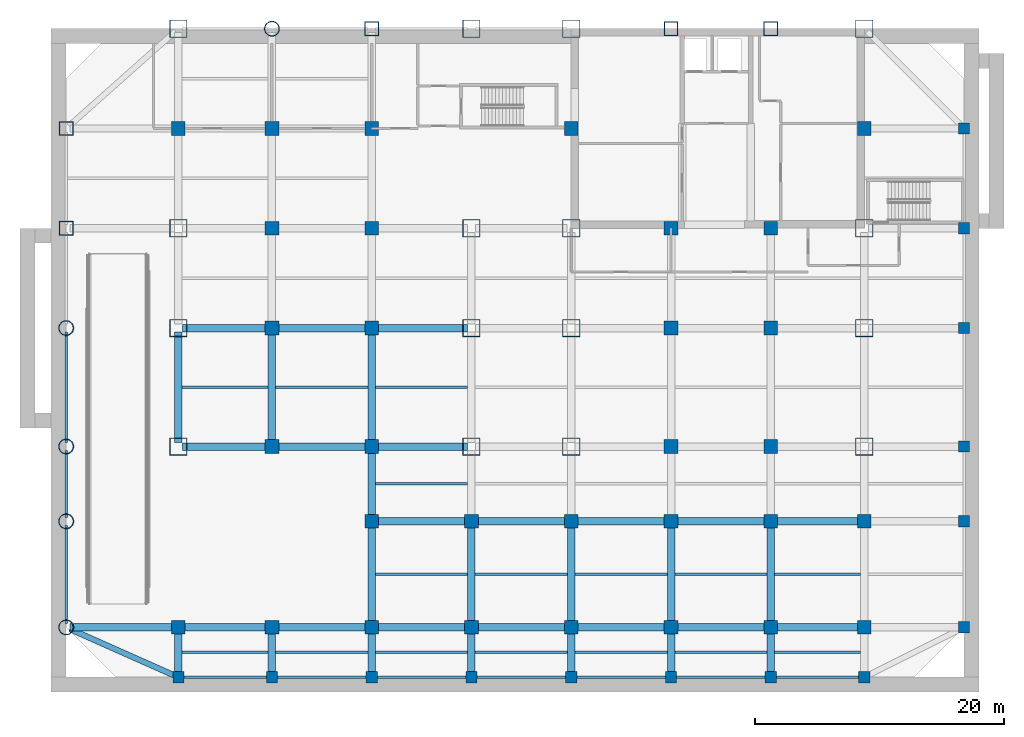
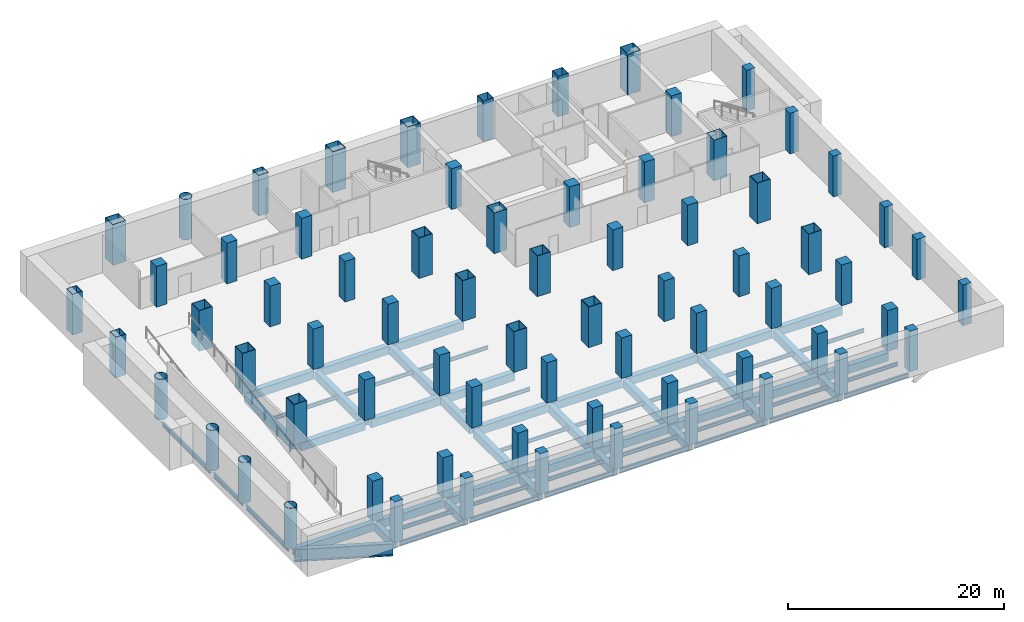
# One storey, part 1 of 8: 71 columns, 62 beams.
"""IFC4 building model written with IfcOpenShell, lengths in metres."""

from ifc_helpers import new_model, si_unit, direction, frame, origin, origin_2d, place, context, subcontext, project, spatial, rectangle, hollow_rectangle, hollow_circle, i_section, extrude, material, material_profile, profile_set, type_object, element, save


model = new_model("IFC4")

# Units and contexts
model_context = context("Model", 3, precision=1e-05, world=origin(), true_north=direction((0.0, 1.0)))
body_context = subcontext(model_context, "Body", "Model", "MODEL_VIEW")
ifc_project = project(units=[si_unit("LENGTHUNIT", "METRE"), si_unit("AREAUNIT", "SQUARE_METRE"), si_unit("VOLUMEUNIT", "CUBIC_METRE"), si_unit("PLANEANGLEUNIT", "RADIAN"), si_unit("MASSUNIT", "GRAM", prefix="KILO")], contexts=[model_context])

# Site, building, storey
site_placement = place(None, origin())
site = spatial("IfcSite", under=ifc_project, at=site_placement, CompositionType="ELEMENT")
building_placement = place(site_placement, origin())
building = spatial("IfcBuilding", under=site, at=building_placement, Name="Qianrong Seaharbour Tower", CompositionType="ELEMENT")
storey_placement = place(building_placement, frame((0.0, 0.0, -9.199951171875)))
storey = spatial("IfcBuildingStorey", under=building, at=storey_placement, Name="B02", CompositionType="ELEMENT", Elevation=-9.199951171875)

# Columns
ifc_material_1 = material(Name="Structural steel SN490B", Category="steel")
ifc_material_profile_1 = material_profile(ifc_material_1, hollow_rectangle(XDim=1.39990234375, YDim=1.39990234375, WallThickness=0.050048828125, at=origin_2d()), Name="BOX1400x1400x50")
ifc_profile_set_1 = profile_set([ifc_material_profile_1], Name="Structural steel SN490B")
column_type_1 = type_object("IfcColumnType", Name="COL-CFT-1400", PredefinedType="COLUMN", material=ifc_profile_set_1)
for number, where, z_axis, x_axis, name in (
    (1, (9.0, 18.5, 0.0), (0.0, 0.0, 1.0), (1.0, 0.0, 0.0), "B02 Column MC-1 at G2/GD"),
    (2, (9.0, 28.0, 0.0), (0.0, 0.0, 1.0), (1.0, 0.0, 0.0), "B02 Column MC-1 at G2/GE"),
    (3, (9.0, 36.0, 0.0), (0.0, 0.0, 1.0), (1.0, 0.0, 0.0), "B02 Column MC-1 at G2/GF"),
    (4, (9.0, 52.0, 0.0), (0.0, 0.0, 1.0), (1.0, 0.0, 0.0), "B02 Column MC-1 at G2/GH"),
    (5, (32.5, 18.5, 0.0), (0.0, 0.0, 1.0), (1.0, 0.0, 0.0), "B02 Column MC-1 at G5/GD"),
    (6, (32.5, 28.0, 0.0), (0.0, 0.0, 1.0), (1.0, 0.0, 0.0), "B02 Column MC-1 at G5/GE"),
    (7, (32.5, 36.0, 0.0), (0.0, 0.0, 1.0), (1.0, 0.0, 0.0), "B02 Column MC-1 at G5/GF"),
    (8, (32.5, 52.0, 0.0), (0.0, 0.0, 1.0), (1.0, 0.0, 0.0), "B02 Column MC-1 at G5/GH"),
    (9, (40.5, 18.5, 0.0), (0.0, 0.0, 1.0), (1.0, 0.0, 0.0), "B02 Column MC-1 at G6/GD"),
    (10, (40.5, 28.0, 0.0), (0.0, 0.0, 1.0), (1.0, 0.0, 0.0), "B02 Column MC-1 at G6/GE"),
    (11, (40.5, 36.0, 0.0), (0.0, 0.0, 1.0), (1.0, 0.0, 0.0), "B02 Column MC-1 at G6/GF"),
    (12, (40.5, 52.0, 0.0), (0.0, 0.0, 1.0), (1.0, 0.0, 0.0), "B02 Column MC-1 at G6/GH"),
    (13, (64.0, 18.5, 0.0), (0.0, 0.0, 1.0), (1.0, 0.0, 0.0), "B02 Column MC-1 at G9/GD"),
    (14, (64.0, 28.0, 0.0), (0.0, 0.0, 1.0), (1.0, 0.0, 0.0), "B02 Column MC-1 at G9/GE"),
    (15, (64.0, 36.0, 0.0), (0.0, 0.0, 1.0), (1.0, 0.0, 0.0), "B02 Column MC-1 at G9/GF"),
    (16, (64.0, 52.0, 0.0), (0.0, 0.0, 1.0), (1.0, 0.0, 0.0), "B02 Column MC-1 at G9/GH"),
):
    element("IfcColumn", number, at=place(storey_placement, frame(where, z_axis=z_axis, x_axis=x_axis)), inside=storey, type_object=column_type_1, Name=name, PredefinedType="COLUMN", context=body_context, shape_type="SweptSolid", body=[
        extrude(hollow_rectangle(XDim=1.39990234375, YDim=1.39990234375, WallThickness=0.050048828125, at=origin_2d()), origin(), (0.0, 0.0, 1.0), 4.599853515625),
    ])
ifc_material_profile_2 = material_profile(ifc_material_1, hollow_circle(Radius=0.60009765625, WallThickness=0.0400390625, at=origin_2d()), Name="CHS1200x40")
ifc_profile_set_2 = profile_set([ifc_material_profile_2], Name="Structural steel SN490B")
column_type_2 = type_object("IfcColumnType", Name="COL-CHS-1200", PredefinedType="COLUMN", material=ifc_profile_set_2)
for number, where, z_axis, x_axis, name in (
    (17, (0.0, 4.0, 0.0), (0.0, 0.0, 1.0), (1.0, 0.0, 0.0), "B02 Column CC-1 at G1/GB"),
    (18, (0.0, 12.5, 0.0), (0.0, 0.0, 1.0), (1.0, 0.0, 0.0), "B02 Column CC-1 at G1/GC"),
    (19, (0.0, 18.5, 0.0), (0.0, 0.0, 1.0), (1.0, 0.0, 0.0), "B02 Column CC-1 at G1/GD"),
    (20, (0.0, 28.0, 0.0), (0.0, 0.0, 1.0), (1.0, 0.0, 0.0), "B02 Column CC-1 at G1/GE"),
    (21, (16.5, 52.0, 0.0), (0.0, 0.0, 1.0), (1.0, 0.0, 0.0), "B02 Column CC-1 at G3/GH"),
):
    element("IfcColumn", number, at=place(storey_placement, frame(where, z_axis=z_axis, x_axis=x_axis)), inside=storey, type_object=column_type_2, Name=name, PredefinedType="COLUMN", context=body_context, shape_type="SweptSolid", body=[
        extrude(hollow_circle(Radius=0.60009765625, WallThickness=0.0400390625, at=origin_2d()), origin(), (0.0, 0.0, 1.0), 4.599853515625),
    ])
ifc_material_2 = material(Name="Concrete C70/85", Category="concrete")
ifc_material_profile_3 = material_profile(ifc_material_2, rectangle(XDim=1.10009765625, YDim=1.10009765625, at=origin_2d()), Name="RC1100x1100")
ifc_profile_set_3 = profile_set([ifc_material_profile_3], Name="Concrete C70/85")
column_type_3 = type_object("IfcColumnType", Name="COL-INT-RC1100", PredefinedType="COLUMN", material=ifc_profile_set_3)
for number, where, z_axis, x_axis, name in (
    (22, (9.0, 4.0, 0.0), (0.0, 0.0, 1.0), (1.0, 0.0, 0.0), "B02 Column IC-1 at G2/GB"),
    (23, (9.0, 44.0, 0.0), (0.0, 0.0, 1.0), (1.0, 0.0, 0.0), "B02 Column IC-1 at G2/GG"),
    (24, (16.5, 4.0, 0.0), (0.0, 0.0, 1.0), (1.0, 0.0, 0.0), "B02 Column IC-1 at G3/GB"),
    (25, (16.5, 18.5, 0.0), (0.0, 0.0, 1.0), (1.0, 0.0, 0.0), "B02 Column IC-1 at G3/GD"),
    (26, (16.5, 28.0, 0.0), (0.0, 0.0, 1.0), (1.0, 0.0, 0.0), "B02 Column IC-1 at G3/GE"),
    (27, (16.5, 36.0, 0.0), (0.0, 0.0, 1.0), (1.0, 0.0, 0.0), "B02 Column IC-1 at G3/GF"),
    (28, (16.5, 44.0, 0.0), (0.0, 0.0, 1.0), (1.0, 0.0, 0.0), "B02 Column IC-1 at G3/GG"),
    (29, (24.5, 4.0, 0.0), (0.0, 0.0, 1.0), (1.0, 0.0, 0.0), "B02 Column IC-1 at G4/GB"),
    (30, (24.5, 12.5, 0.0), (0.0, 0.0, 1.0), (1.0, 0.0, 0.0), "B02 Column IC-1 at G4/GC"),
    (31, (24.5, 18.5, 0.0), (0.0, 0.0, 1.0), (1.0, 0.0, 0.0), "B02 Column IC-1 at G4/GD"),
    (32, (24.5, 28.0, 0.0), (0.0, 0.0, 1.0), (1.0, 0.0, 0.0), "B02 Column IC-1 at G4/GE"),
    (33, (24.5, 36.0, 0.0), (0.0, 0.0, 1.0), (1.0, 0.0, 0.0), "B02 Column IC-1 at G4/GF"),
    (34, (24.5, 44.0, 0.0), (0.0, 0.0, 1.0), (1.0, 0.0, 0.0), "B02 Column IC-1 at G4/GG"),
    (35, (32.5, 4.0, 0.0), (0.0, 0.0, 1.0), (1.0, 0.0, 0.0), "B02 Column IC-1 at G5/GB"),
    (36, (32.5, 12.5, 0.0), (0.0, 0.0, 1.0), (1.0, 0.0, 0.0), "B02 Column IC-1 at G5/GC"),
    (37, (40.5, 4.0, 0.0), (0.0, 0.0, 1.0), (1.0, 0.0, 0.0), "B02 Column IC-1 at G6/GB"),
    (38, (40.5, 12.5, 0.0), (0.0, 0.0, 1.0), (1.0, 0.0, 0.0), "B02 Column IC-1 at G6/GC"),
    (39, (40.5, 44.0, 0.0), (0.0, 0.0, 1.0), (1.0, 0.0, 0.0), "B02 Column IC-1 at G6/GG"),
    (40, (48.5, 4.0, 0.0), (0.0, 0.0, 1.0), (1.0, 0.0, 0.0), "B02 Column IC-1 at G7/GB"),
    (41, (48.5, 12.5, 0.0), (0.0, 0.0, 1.0), (1.0, 0.0, 0.0), "B02 Column IC-1 at G7/GC"),
    (42, (48.5, 18.5, 0.0), (0.0, 0.0, 1.0), (1.0, 0.0, 0.0), "B02 Column IC-1 at G7/GD"),
    (43, (48.5, 28.0, 0.0), (0.0, 0.0, 1.0), (1.0, 0.0, 0.0), "B02 Column IC-1 at G7/GE"),
    (44, (48.5, 36.0, 0.0), (0.0, 0.0, 1.0), (1.0, 0.0, 0.0), "B02 Column IC-1 at G7/GF"),
    (45, (56.5, 4.0, 0.0), (0.0, 0.0, 1.0), (1.0, 0.0, 0.0), "B02 Column IC-1 at G8/GB"),
    (46, (56.5, 12.5, 0.0), (0.0, 0.0, 1.0), (1.0, 0.0, 0.0), "B02 Column IC-1 at G8/GC"),
    (47, (56.5, 18.5, 0.0), (0.0, 0.0, 1.0), (1.0, 0.0, 0.0), "B02 Column IC-1 at G8/GD"),
    (48, (56.5, 28.0, 0.0), (0.0, 0.0, 1.0), (1.0, 0.0, 0.0), "B02 Column IC-1 at G8/GE"),
    (49, (56.5, 36.0, 0.0), (0.0, 0.0, 1.0), (1.0, 0.0, 0.0), "B02 Column IC-1 at G8/GF"),
    (50, (64.0, 4.0, 0.0), (0.0, 0.0, 1.0), (1.0, 0.0, 0.0), "B02 Column IC-1 at G9/GB"),
    (51, (64.0, 12.5, 0.0), (0.0, 0.0, 1.0), (1.0, 0.0, 0.0), "B02 Column IC-1 at G9/GC"),
    (52, (64.0, 44.0, 0.0), (0.0, 0.0, 1.0), (1.0, 0.0, 0.0), "B02 Column IC-1 at G9/GG"),
):
    element("IfcColumn", number, at=place(storey_placement, frame(where, z_axis=z_axis, x_axis=x_axis)), inside=storey, type_object=column_type_3, Name=name, PredefinedType="COLUMN", context=body_context, shape_type="SweptSolid", body=[
        extrude(rectangle(XDim=1.10009765625, YDim=1.10009765625, at=origin_2d()), origin(), (0.0, 0.0, 1.0), 4.599853515625),
    ])
ifc_material_profile_4 = material_profile(ifc_material_1, hollow_rectangle(XDim=1.10009765625, YDim=1.10009765625, WallThickness=0.0400390625, at=origin_2d()), Name="BOX1100x1100x40")
ifc_profile_set_4 = profile_set([ifc_material_profile_4], Name="Structural steel SN490B")
column_type_4 = type_object("IfcColumnType", Name="COL-PER-1100", PredefinedType="COLUMN", material=ifc_profile_set_4)
for number, where, z_axis, x_axis, name in (
    (53, (0.0, 36.0, 0.0), (0.0, 0.0, 1.0), (1.0, 0.0, 0.0), "B02 Column PC-1 at G1/GF"),
    (54, (0.0, 44.0, 0.0), (0.0, 0.0, 1.0), (1.0, 0.0, 0.0), "B02 Column PC-1 at G1/GG"),
    (55, (24.5, 52.0, 0.0), (0.0, 0.0, 1.0), (1.0, 0.0, 0.0), "B02 Column PC-1 at G4/GH"),
    (56, (48.5, 52.0, 0.0), (0.0, 0.0, 1.0), (1.0, 0.0, 0.0), "B02 Column PC-1 at G7/GH"),
    (57, (56.5, 52.0, 0.0), (0.0, 0.0, 1.0), (1.0, 0.0, 0.0), "B02 Column PC-1 at G8/GH"),
):
    element("IfcColumn", number, at=place(storey_placement, frame(where, z_axis=z_axis, x_axis=x_axis)), inside=storey, type_object=column_type_4, Name=name, PredefinedType="COLUMN", context=body_context, shape_type="SweptSolid", body=[
        extrude(hollow_rectangle(XDim=1.10009765625, YDim=1.10009765625, WallThickness=0.0400390625, at=origin_2d()), origin(), (0.0, 0.0, 1.0), 4.599853515625),
    ])
ifc_material_3 = material(Name="Concrete C60/75", Category="concrete")
ifc_material_profile_5 = material_profile(ifc_material_3, rectangle(XDim=0.89990234375, YDim=0.89990234375, at=origin_2d()), Name="RC900x900")
ifc_profile_set_5 = profile_set([ifc_material_profile_5], Name="Concrete C60/75")
column_type_5 = type_object("IfcColumnType", Name="COL-PIL-RC900", PredefinedType="PILASTER", material=ifc_profile_set_5)
for number, where, z_axis, x_axis, name in (
    (58, (9.0, 0.0, 0.0), (0.0, 0.0, 1.0), (1.0, 0.0, 0.0), "B02 Column CP-1 at G2/GA"),
    (59, (16.5, 0.0, 0.0), (0.0, 0.0, 1.0), (1.0, 0.0, 0.0), "B02 Column CP-1 at G3/GA"),
    (60, (24.5, 0.0, 0.0), (0.0, 0.0, 1.0), (1.0, 0.0, 0.0), "B02 Column CP-1 at G4/GA"),
    (61, (32.5, 0.0, 0.0), (0.0, 0.0, 1.0), (1.0, 0.0, 0.0), "B02 Column CP-1 at G5/GA"),
    (62, (40.5, 0.0, 0.0), (0.0, 0.0, 1.0), (1.0, 0.0, 0.0), "B02 Column CP-1 at G6/GA"),
    (63, (48.5, 0.0, 0.0), (0.0, 0.0, 1.0), (1.0, 0.0, 0.0), "B02 Column CP-1 at G7/GA"),
    (64, (56.5, 0.0, 0.0), (0.0, 0.0, 1.0), (1.0, 0.0, 0.0), "B02 Column CP-1 at G8/GA"),
    (65, (64.0, 0.0, 0.0), (0.0, 0.0, 1.0), (1.0, 0.0, 0.0), "B02 Column CP-1 at G9/GA"),
    (66, (72.0, 4.0, 0.0), (0.0, 0.0, 1.0), (1.0, 0.0, 0.0), "B02 Column CP-1 at G10/GB"),
    (67, (72.0, 12.5, 0.0), (0.0, 0.0, 1.0), (1.0, 0.0, 0.0), "B02 Column CP-1 at G10/GC"),
    (68, (72.0, 18.5, 0.0), (0.0, 0.0, 1.0), (1.0, 0.0, 0.0), "B02 Column CP-1 at G10/GD"),
    (69, (72.0, 28.0, 0.0), (0.0, 0.0, 1.0), (1.0, 0.0, 0.0), "B02 Column CP-1 at G10/GE"),
    (70, (72.0, 36.0, 0.0), (0.0, 0.0, 1.0), (1.0, 0.0, 0.0), "B02 Column CP-1 at G10/GF"),
    (71, (72.0, 44.0, 0.0), (0.0, 0.0, 1.0), (1.0, 0.0, 0.0), "B02 Column CP-1 at G10/GG"),
):
    element("IfcColumn", number, at=place(storey_placement, frame(where, z_axis=z_axis, x_axis=x_axis)), inside=storey, type_object=column_type_5, Name=name, PredefinedType="PILASTER", context=body_context, shape_type="SweptSolid", body=[
        extrude(rectangle(XDim=0.89990234375, YDim=0.89990234375, at=origin_2d()), origin(), (0.0, 0.0, 1.0), 4.599853515625),
    ])

# Beams
ifc_material_4 = material(Name="Structural steel SN400B", Category="steel")
ifc_material_profile_6 = material_profile(ifc_material_4, i_section(OverallWidth=0.199951171875, OverallDepth=0.39990234375, WebThickness=0.008056640625, FlangeThickness=0.012939453125, FilletRadius=0.01611328125, at=origin_2d()), Name="H400x200x8x13")
ifc_profile_set_6 = profile_set([ifc_material_profile_6], Name="Structural steel SN400B")
beam_type_1 = type_object("IfcBeamType", Name="BM-J-400", PredefinedType="JOIST", material=ifc_profile_set_6)
for number, where, z_axis, x_axis, name in (
    (72, (9.300048828125, 2.0, -0.56005859375), (1.0, 0.0, 0.0), (0.0, 1.0, 0.0), "B02 Composite Floor Joist G2-G3/GA-GB"),
    (73, (9.300048828125, 23.25, -0.56005859375), (1.0, 0.0, 0.0), (0.0, 1.0, 0.0), "B02 Composite Floor Joist G2-G3/GD-GE"),
):
    element("IfcBeam", number, at=place(storey_placement, frame(where, z_axis=z_axis, x_axis=x_axis)), inside=storey, type_object=beam_type_1, Name=name, PredefinedType="JOIST", context=body_context, shape_type="SweptSolid", body=[
        extrude(i_section(OverallWidth=0.199951171875, OverallDepth=0.39990234375, WebThickness=0.008056640625, FlangeThickness=0.012939453125, FilletRadius=0.01611328125, at=origin_2d()), origin(), (0.0, 0.0, 1.0), 6.89990234375),
    ])
for number, where, z_axis, x_axis, name in (
    (74, (16.800048828125, 2.0, -0.56005859375), (1.0, 0.0, 0.0), (0.0, 1.0, 0.0), "B02 Composite Floor Joist G3-G4/GA-GB"),
    (75, (16.800048828125, 23.25, -0.56005859375), (1.0, 0.0, 0.0), (0.0, 1.0, 0.0), "B02 Composite Floor Joist G3-G4/GD-GE"),
    (76, (24.800048828125, 2.0, -0.56005859375), (1.0, 0.0, 0.0), (0.0, 1.0, 0.0), "B02 Composite Floor Joist G4-G5/GA-GB"),
    (77, (24.800048828125, 8.25, -0.56005859375), (1.0, 0.0, 0.0), (0.0, 1.0, 0.0), "B02 Composite Floor Joist G4-G5/GB-GC"),
    (78, (24.800048828125, 15.5, -0.56005859375), (1.0, 0.0, 0.0), (0.0, 1.0, 0.0), "B02 Composite Floor Joist G4-G5/GC-GD"),
    (79, (24.800048828125, 23.25, -0.56005859375), (1.0, 0.0, 0.0), (0.0, 1.0, 0.0), "B02 Composite Floor Joist G4-G5/GD-GE"),
    (80, (32.800048828125, 2.0, -0.56005859375), (1.0, 0.0, 0.0), (0.0, 1.0, 0.0), "B02 Composite Floor Joist G5-G6/GA-GB"),
    (81, (32.800048828125, 8.25, -0.56005859375), (1.0, 0.0, 0.0), (0.0, 1.0, 0.0), "B02 Composite Floor Joist G5-G6/GB-GC"),
    (82, (40.800048828125, 2.0, -0.56005859375), (1.0, 0.0, 0.0), (0.0, 1.0, 0.0), "B02 Composite Floor Joist G6-G7/GA-GB"),
    (83, (40.800048828125, 8.25, -0.56005859375), (1.0, 0.0, 0.0), (0.0, 1.0, 0.0), "B02 Composite Floor Joist G6-G7/GB-GC"),
    (84, (48.800048828125, 2.0, -0.56005859375), (1.0, 0.0, 0.0), (0.0, 1.0, 0.0), "B02 Composite Floor Joist G7-G8/GA-GB"),
    (85, (48.800048828125, 8.25, -0.56005859375), (1.0, 0.0, 0.0), (0.0, 1.0, 0.0), "B02 Composite Floor Joist G7-G8/GB-GC"),
):
    element("IfcBeam", number, at=place(storey_placement, frame(where, z_axis=z_axis, x_axis=x_axis)), inside=storey, type_object=beam_type_1, Name=name, PredefinedType="JOIST", context=body_context, shape_type="SweptSolid", body=[
        extrude(i_section(OverallWidth=0.199951171875, OverallDepth=0.39990234375, WebThickness=0.008056640625, FlangeThickness=0.012939453125, FilletRadius=0.01611328125, at=origin_2d()), origin(), (0.0, 0.0, 1.0), 7.39990234375),
    ])
for number, where, z_axis, x_axis, name in (
    (86, (56.800048828125, 2.0, -0.56005859375), (1.0, 0.0, 0.0), (0.0, 1.0, 0.0), "B02 Composite Floor Joist G8-G9/GA-GB"),
    (87, (56.800048828125, 8.25, -0.56005859375), (1.0, 0.0, 0.0), (0.0, 1.0, 0.0), "B02 Composite Floor Joist G8-G9/GB-GC"),
):
    element("IfcBeam", number, at=place(storey_placement, frame(where, z_axis=z_axis, x_axis=x_axis)), inside=storey, type_object=beam_type_1, Name=name, PredefinedType="JOIST", context=body_context, shape_type="SweptSolid", body=[
        extrude(i_section(OverallWidth=0.199951171875, OverallDepth=0.39990234375, WebThickness=0.008056640625, FlangeThickness=0.012939453125, FilletRadius=0.01611328125, at=origin_2d()), origin(), (0.0, 0.0, 1.0), 6.89990234375),
    ])
ifc_material_5 = material(Name="Concrete C50/60", Category="concrete")
ifc_material_profile_7 = material_profile(ifc_material_5, rectangle(XDim=0.60009765625, YDim=0.89990234375, at=origin_2d()), Name="RC600x900")
ifc_profile_set_7 = profile_set([ifc_material_profile_7], Name="Concrete C50/60")
beam_type_2 = type_object("IfcBeamType", Name="BM-RC-T900", PredefinedType="T_BEAM", material=ifc_profile_set_7)
beam_1_placement = place(storey_placement, frame((0.320068359375, 4.0, -0.81005859375), z_axis=(1.0, 0.0, 0.0), x_axis=(0.0, 1.0, 0.0)))
element("IfcBeam", 88, at=beam_1_placement, inside=storey, type_object=beam_type_2, Name="B02 Primary Girder GB G1-G2", PredefinedType="T_BEAM", context=body_context, shape_type="SweptSolid", body=[
    extrude(rectangle(XDim=0.60009765625, YDim=0.89990234375, at=origin_2d()), origin(), (0.0, 0.0, 1.0), 8.35986328125),
])
beam_2_placement = place(storey_placement, frame((9.320068359375, 4.0, -0.81005859375), z_axis=(1.0, 0.0, 0.0), x_axis=(0.0, 1.0, 0.0)))
element("IfcBeam", 89, at=beam_2_placement, inside=storey, type_object=beam_type_2, Name="B02 Primary Girder GB G2-G3", PredefinedType="T_BEAM", context=body_context, shape_type="SweptSolid", body=[
    extrude(rectangle(XDim=0.60009765625, YDim=0.89990234375, at=origin_2d()), origin(), (0.0, 0.0, 1.0), 6.85986328125),
])
for number, where, z_axis, x_axis, name in (
    (90, (16.820068359375, 4.0, -0.81005859375), (1.0, 0.0, 0.0), (0.0, 1.0, 0.0), "B02 Primary Girder GB G3-G4"),
    (91, (24.820068359375, 4.0, -0.81005859375), (1.0, 0.0, 0.0), (0.0, 1.0, 0.0), "B02 Primary Girder GB G4-G5"),
    (92, (32.820068359375, 4.0, -0.81005859375), (1.0, 0.0, 0.0), (0.0, 1.0, 0.0), "B02 Primary Girder GB G5-G6"),
    (93, (40.820068359375, 4.0, -0.81005859375), (1.0, 0.0, 0.0), (0.0, 1.0, 0.0), "B02 Primary Girder GB G6-G7"),
    (94, (48.820068359375, 4.0, -0.81005859375), (1.0, 0.0, 0.0), (0.0, 1.0, 0.0), "B02 Primary Girder GB G7-G8"),
):
    element("IfcBeam", number, at=place(storey_placement, frame(where, z_axis=z_axis, x_axis=x_axis)), inside=storey, type_object=beam_type_2, Name=name, PredefinedType="T_BEAM", context=body_context, shape_type="SweptSolid", body=[
        extrude(rectangle(XDim=0.60009765625, YDim=0.89990234375, at=origin_2d()), origin(), (0.0, 0.0, 1.0), 7.35986328125),
    ])
beam_3_placement = place(storey_placement, frame((56.820068359375, 4.0, -0.81005859375), z_axis=(1.0, 0.0, 0.0), x_axis=(0.0, 1.0, 0.0)))
element("IfcBeam", 95, at=beam_3_placement, inside=storey, type_object=beam_type_2, Name="B02 Primary Girder GB G8-G9", PredefinedType="T_BEAM", context=body_context, shape_type="SweptSolid", body=[
    extrude(rectangle(XDim=0.60009765625, YDim=0.89990234375, at=origin_2d()), origin(), (0.0, 0.0, 1.0), 6.85986328125),
])
for number, where, z_axis, x_axis, name in (
    (96, (24.820068359375, 12.5, -0.81005859375), (1.0, 0.0, 0.0), (0.0, 1.0, 0.0), "B02 Primary Girder GC G4-G5"),
    (97, (32.820068359375, 12.5, -0.81005859375), (1.0, 0.0, 0.0), (0.0, 1.0, 0.0), "B02 Primary Girder GC G5-G6"),
    (98, (40.820068359375, 12.5, -0.81005859375), (1.0, 0.0, 0.0), (0.0, 1.0, 0.0), "B02 Primary Girder GC G6-G7"),
    (99, (48.820068359375, 12.5, -0.81005859375), (1.0, 0.0, 0.0), (0.0, 1.0, 0.0), "B02 Primary Girder GC G7-G8"),
):
    element("IfcBeam", number, at=place(storey_placement, frame(where, z_axis=z_axis, x_axis=x_axis)), inside=storey, type_object=beam_type_2, Name=name, PredefinedType="T_BEAM", context=body_context, shape_type="SweptSolid", body=[
        extrude(rectangle(XDim=0.60009765625, YDim=0.89990234375, at=origin_2d()), origin(), (0.0, 0.0, 1.0), 7.35986328125),
    ])
for number, where, z_axis, x_axis, name in (
    (100, (56.820068359375, 12.5, -0.81005859375), (1.0, 0.0, 0.0), (0.0, 1.0, 0.0), "B02 Primary Girder GC G8-G9"),
    (101, (9.320068359375, 18.5, -0.81005859375), (1.0, 0.0, 0.0), (0.0, 1.0, 0.0), "B02 Primary Girder GD G2-G3"),
):
    element("IfcBeam", number, at=place(storey_placement, frame(where, z_axis=z_axis, x_axis=x_axis)), inside=storey, type_object=beam_type_2, Name=name, PredefinedType="T_BEAM", context=body_context, shape_type="SweptSolid", body=[
        extrude(rectangle(XDim=0.60009765625, YDim=0.89990234375, at=origin_2d()), origin(), (0.0, 0.0, 1.0), 6.85986328125),
    ])
for number, where, z_axis, x_axis, name in (
    (102, (16.820068359375, 18.5, -0.81005859375), (1.0, 0.0, 0.0), (0.0, 1.0, 0.0), "B02 Primary Girder GD G3-G4"),
    (103, (24.820068359375, 18.5, -0.81005859375), (1.0, 0.0, 0.0), (0.0, 1.0, 0.0), "B02 Primary Girder GD G4-G5"),
):
    element("IfcBeam", number, at=place(storey_placement, frame(where, z_axis=z_axis, x_axis=x_axis)), inside=storey, type_object=beam_type_2, Name=name, PredefinedType="T_BEAM", context=body_context, shape_type="SweptSolid", body=[
        extrude(rectangle(XDim=0.60009765625, YDim=0.89990234375, at=origin_2d()), origin(), (0.0, 0.0, 1.0), 7.35986328125),
    ])
beam_4_placement = place(storey_placement, frame((9.320068359375, 28.0, -0.81005859375), z_axis=(1.0, 0.0, 0.0), x_axis=(0.0, 1.0, 0.0)))
element("IfcBeam", 104, at=beam_4_placement, inside=storey, type_object=beam_type_2, Name="B02 Primary Girder GE G2-G3", PredefinedType="T_BEAM", context=body_context, shape_type="SweptSolid", body=[
    extrude(rectangle(XDim=0.60009765625, YDim=0.89990234375, at=origin_2d()), origin(), (0.0, 0.0, 1.0), 6.85986328125),
])
for number, where, z_axis, x_axis, name in (
    (105, (16.820068359375, 28.0, -0.81005859375), (1.0, 0.0, 0.0), (0.0, 1.0, 0.0), "B02 Primary Girder GE G3-G4"),
    (106, (24.820068359375, 28.0, -0.81005859375), (1.0, 0.0, 0.0), (0.0, 1.0, 0.0), "B02 Primary Girder GE G4-G5"),
):
    element("IfcBeam", number, at=place(storey_placement, frame(where, z_axis=z_axis, x_axis=x_axis)), inside=storey, type_object=beam_type_2, Name=name, PredefinedType="T_BEAM", context=body_context, shape_type="SweptSolid", body=[
        extrude(rectangle(XDim=0.60009765625, YDim=0.89990234375, at=origin_2d()), origin(), (0.0, 0.0, 1.0), 7.35986328125),
    ])
beam_5_placement = place(storey_placement, frame((9.0, 0.320068359375, -0.81005859375), z_axis=(0.0, 1.0, 0.0), x_axis=(-1.0, 0.0, 0.0)))
element("IfcBeam", 107, at=beam_5_placement, inside=storey, type_object=beam_type_2, Name="B02 Primary Girder G2 GA-GB", PredefinedType="T_BEAM", context=body_context, shape_type="SweptSolid", body=[
    extrude(rectangle(XDim=0.60009765625, YDim=0.89990234375, at=origin_2d()), origin(), (0.0, 0.0, 1.0), 3.35986328125),
])
beam_6_placement = place(storey_placement, frame((9.0, 18.820068359375, -0.81005859375), z_axis=(0.0, 1.0, 0.0), x_axis=(-1.0, 0.0, 0.0)))
element("IfcBeam", 108, at=beam_6_placement, inside=storey, type_object=beam_type_2, Name="B02 Primary Girder G2 GD-GE", PredefinedType="T_BEAM", context=body_context, shape_type="SweptSolid", body=[
    extrude(rectangle(XDim=0.60009765625, YDim=0.89990234375, at=origin_2d()), origin(), (0.0, 0.0, 1.0), 8.85986328125),
])
beam_7_placement = place(storey_placement, frame((16.5, 0.320068359375, -0.81005859375), z_axis=(0.0, 1.0, 0.0), x_axis=(-1.0, 0.0, 0.0)))
element("IfcBeam", 109, at=beam_7_placement, inside=storey, type_object=beam_type_2, Name="B02 Primary Girder G3 GA-GB", PredefinedType="T_BEAM", context=body_context, shape_type="SweptSolid", body=[
    extrude(rectangle(XDim=0.60009765625, YDim=0.89990234375, at=origin_2d()), origin(), (0.0, 0.0, 1.0), 3.35986328125),
])
beam_8_placement = place(storey_placement, frame((16.5, 18.820068359375, -0.81005859375), z_axis=(0.0, 1.0, 0.0), x_axis=(-1.0, 0.0, 0.0)))
element("IfcBeam", 110, at=beam_8_placement, inside=storey, type_object=beam_type_2, Name="B02 Primary Girder G3 GD-GE", PredefinedType="T_BEAM", context=body_context, shape_type="SweptSolid", body=[
    extrude(rectangle(XDim=0.60009765625, YDim=0.89990234375, at=origin_2d()), origin(), (0.0, 0.0, 1.0), 8.85986328125),
])
beam_9_placement = place(storey_placement, frame((24.5, 0.320068359375, -0.81005859375), z_axis=(0.0, 1.0, 0.0), x_axis=(-1.0, 0.0, 0.0)))
element("IfcBeam", 111, at=beam_9_placement, inside=storey, type_object=beam_type_2, Name="B02 Primary Girder G4 GA-GB", PredefinedType="T_BEAM", context=body_context, shape_type="SweptSolid", body=[
    extrude(rectangle(XDim=0.60009765625, YDim=0.89990234375, at=origin_2d()), origin(), (0.0, 0.0, 1.0), 3.35986328125),
])
beam_10_placement = place(storey_placement, frame((24.5, 4.320068359375, -0.81005859375), z_axis=(0.0, 1.0, 0.0), x_axis=(-1.0, 0.0, 0.0)))
element("IfcBeam", 112, at=beam_10_placement, inside=storey, type_object=beam_type_2, Name="B02 Primary Girder G4 GB-GC", PredefinedType="T_BEAM", context=body_context, shape_type="SweptSolid", body=[
    extrude(rectangle(XDim=0.60009765625, YDim=0.89990234375, at=origin_2d()), origin(), (0.0, 0.0, 1.0), 7.85986328125),
])
beam_11_placement = place(storey_placement, frame((24.5, 12.820068359375, -0.81005859375), z_axis=(0.0, 1.0, 0.0), x_axis=(-1.0, 0.0, 0.0)))
element("IfcBeam", 113, at=beam_11_placement, inside=storey, type_object=beam_type_2, Name="B02 Primary Girder G4 GC-GD", PredefinedType="T_BEAM", context=body_context, shape_type="SweptSolid", body=[
    extrude(rectangle(XDim=0.60009765625, YDim=0.89990234375, at=origin_2d()), origin(), (0.0, 0.0, 1.0), 5.35986328125),
])
beam_12_placement = place(storey_placement, frame((24.5, 18.820068359375, -0.81005859375), z_axis=(0.0, 1.0, 0.0), x_axis=(-1.0, 0.0, 0.0)))
element("IfcBeam", 114, at=beam_12_placement, inside=storey, type_object=beam_type_2, Name="B02 Primary Girder G4 GD-GE", PredefinedType="T_BEAM", context=body_context, shape_type="SweptSolid", body=[
    extrude(rectangle(XDim=0.60009765625, YDim=0.89990234375, at=origin_2d()), origin(), (0.0, 0.0, 1.0), 8.85986328125),
])
beam_13_placement = place(storey_placement, frame((32.5, 0.320068359375, -0.81005859375), z_axis=(0.0, 1.0, 0.0), x_axis=(-1.0, 0.0, 0.0)))
element("IfcBeam", 115, at=beam_13_placement, inside=storey, type_object=beam_type_2, Name="B02 Primary Girder G5 GA-GB", PredefinedType="T_BEAM", context=body_context, shape_type="SweptSolid", body=[
    extrude(rectangle(XDim=0.60009765625, YDim=0.89990234375, at=origin_2d()), origin(), (0.0, 0.0, 1.0), 3.35986328125),
])
beam_14_placement = place(storey_placement, frame((32.5, 4.320068359375, -0.81005859375), z_axis=(0.0, 1.0, 0.0), x_axis=(-1.0, 0.0, 0.0)))
element("IfcBeam", 116, at=beam_14_placement, inside=storey, type_object=beam_type_2, Name="B02 Primary Girder G5 GB-GC", PredefinedType="T_BEAM", context=body_context, shape_type="SweptSolid", body=[
    extrude(rectangle(XDim=0.60009765625, YDim=0.89990234375, at=origin_2d()), origin(), (0.0, 0.0, 1.0), 7.85986328125),
])
beam_15_placement = place(storey_placement, frame((40.5, 0.320068359375, -0.81005859375), z_axis=(0.0, 1.0, 0.0), x_axis=(-1.0, 0.0, 0.0)))
element("IfcBeam", 117, at=beam_15_placement, inside=storey, type_object=beam_type_2, Name="B02 Primary Girder G6 GA-GB", PredefinedType="T_BEAM", context=body_context, shape_type="SweptSolid", body=[
    extrude(rectangle(XDim=0.60009765625, YDim=0.89990234375, at=origin_2d()), origin(), (0.0, 0.0, 1.0), 3.35986328125),
])
beam_16_placement = place(storey_placement, frame((40.5, 4.320068359375, -0.81005859375), z_axis=(0.0, 1.0, 0.0), x_axis=(-1.0, 0.0, 0.0)))
element("IfcBeam", 118, at=beam_16_placement, inside=storey, type_object=beam_type_2, Name="B02 Primary Girder G6 GB-GC", PredefinedType="T_BEAM", context=body_context, shape_type="SweptSolid", body=[
    extrude(rectangle(XDim=0.60009765625, YDim=0.89990234375, at=origin_2d()), origin(), (0.0, 0.0, 1.0), 7.85986328125),
])
beam_17_placement = place(storey_placement, frame((48.5, 0.320068359375, -0.81005859375), z_axis=(0.0, 1.0, 0.0), x_axis=(-1.0, 0.0, 0.0)))
element("IfcBeam", 119, at=beam_17_placement, inside=storey, type_object=beam_type_2, Name="B02 Primary Girder G7 GA-GB", PredefinedType="T_BEAM", context=body_context, shape_type="SweptSolid", body=[
    extrude(rectangle(XDim=0.60009765625, YDim=0.89990234375, at=origin_2d()), origin(), (0.0, 0.0, 1.0), 3.35986328125),
])
beam_18_placement = place(storey_placement, frame((48.5, 4.320068359375, -0.81005859375), z_axis=(0.0, 1.0, 0.0), x_axis=(-1.0, 0.0, 0.0)))
element("IfcBeam", 120, at=beam_18_placement, inside=storey, type_object=beam_type_2, Name="B02 Primary Girder G7 GB-GC", PredefinedType="T_BEAM", context=body_context, shape_type="SweptSolid", body=[
    extrude(rectangle(XDim=0.60009765625, YDim=0.89990234375, at=origin_2d()), origin(), (0.0, 0.0, 1.0), 7.85986328125),
])
beam_19_placement = place(storey_placement, frame((56.5, 0.320068359375, -0.81005859375), z_axis=(0.0, 1.0, 0.0), x_axis=(-1.0, 0.0, 0.0)))
element("IfcBeam", 121, at=beam_19_placement, inside=storey, type_object=beam_type_2, Name="B02 Primary Girder G8 GA-GB", PredefinedType="T_BEAM", context=body_context, shape_type="SweptSolid", body=[
    extrude(rectangle(XDim=0.60009765625, YDim=0.89990234375, at=origin_2d()), origin(), (0.0, 0.0, 1.0), 3.35986328125),
])
beam_20_placement = place(storey_placement, frame((56.5, 4.320068359375, -0.81005859375), z_axis=(0.0, 1.0, 0.0), x_axis=(-1.0, 0.0, 0.0)))
element("IfcBeam", 122, at=beam_20_placement, inside=storey, type_object=beam_type_2, Name="B02 Primary Girder G8 GB-GC", PredefinedType="T_BEAM", context=body_context, shape_type="SweptSolid", body=[
    extrude(rectangle(XDim=0.60009765625, YDim=0.89990234375, at=origin_2d()), origin(), (0.0, 0.0, 1.0), 7.85986328125),
])
ifc_material_profile_8 = material_profile(ifc_material_1, i_section(OverallWidth=0.199951171875, OverallDepth=0.5, WebThickness=0.010009765625, FlangeThickness=0.01611328125, FilletRadius=0.02001953125, at=origin_2d()), Name="H500x200x10x16")
ifc_profile_set_8 = profile_set([ifc_material_profile_8], Name="Structural steel SN490B")
beam_type_3 = type_object("IfcBeamType", Name="BM-SP-500", PredefinedType="SPANDREL", material=ifc_profile_set_8)
beam_21_placement = place(storey_placement, frame((9.320068359375, 0.0, -0.610107421875), z_axis=(1.0, 0.0, 0.0), x_axis=(0.0, 1.0, 0.0)))
element("IfcBeam", 123, at=beam_21_placement, inside=storey, type_object=beam_type_3, Name="B02 Spandrel Girder GA G2-G3", PredefinedType="SPANDREL", context=body_context, shape_type="SweptSolid", body=[
    extrude(i_section(OverallWidth=0.199951171875, OverallDepth=0.5, WebThickness=0.010009765625, FlangeThickness=0.01611328125, FilletRadius=0.02001953125, at=origin_2d()), origin(), (0.0, 0.0, 1.0), 6.85986328125),
])
for number, where, z_axis, x_axis, name in (
    (124, (16.820068359375, 0.0, -0.610107421875), (1.0, 0.0, 0.0), (0.0, 1.0, 0.0), "B02 Spandrel Girder GA G3-G4"),
    (125, (24.820068359375, 0.0, -0.610107421875), (1.0, 0.0, 0.0), (0.0, 1.0, 0.0), "B02 Spandrel Girder GA G4-G5"),
    (126, (32.820068359375, 0.0, -0.610107421875), (1.0, 0.0, 0.0), (0.0, 1.0, 0.0), "B02 Spandrel Girder GA G5-G6"),
    (127, (40.820068359375, 0.0, -0.610107421875), (1.0, 0.0, 0.0), (0.0, 1.0, 0.0), "B02 Spandrel Girder GA G6-G7"),
    (128, (48.820068359375, 0.0, -0.610107421875), (1.0, 0.0, 0.0), (0.0, 1.0, 0.0), "B02 Spandrel Girder GA G7-G8"),
):
    element("IfcBeam", number, at=place(storey_placement, frame(where, z_axis=z_axis, x_axis=x_axis)), inside=storey, type_object=beam_type_3, Name=name, PredefinedType="SPANDREL", context=body_context, shape_type="SweptSolid", body=[
        extrude(i_section(OverallWidth=0.199951171875, OverallDepth=0.5, WebThickness=0.010009765625, FlangeThickness=0.01611328125, FilletRadius=0.02001953125, at=origin_2d()), origin(), (0.0, 0.0, 1.0), 7.35986328125),
    ])
beam_22_placement = place(storey_placement, frame((56.820068359375, 0.0, -0.610107421875), z_axis=(1.0, 0.0, 0.0), x_axis=(0.0, 1.0, 0.0)))
element("IfcBeam", 129, at=beam_22_placement, inside=storey, type_object=beam_type_3, Name="B02 Spandrel Girder GA G8-G9", PredefinedType="SPANDREL", context=body_context, shape_type="SweptSolid", body=[
    extrude(i_section(OverallWidth=0.199951171875, OverallDepth=0.5, WebThickness=0.010009765625, FlangeThickness=0.01611328125, FilletRadius=0.02001953125, at=origin_2d()), origin(), (0.0, 0.0, 1.0), 6.85986328125),
])
beam_23_placement = place(storey_placement, frame((0.0, 4.320068359375, -0.610107421875), z_axis=(0.0, 1.0, 0.0), x_axis=(-1.0, 0.0, 0.0)))
element("IfcBeam", 130, at=beam_23_placement, inside=storey, type_object=beam_type_3, Name="B02 Spandrel Girder G1 GB-GC", PredefinedType="SPANDREL", context=body_context, shape_type="SweptSolid", body=[
    extrude(i_section(OverallWidth=0.199951171875, OverallDepth=0.5, WebThickness=0.010009765625, FlangeThickness=0.01611328125, FilletRadius=0.02001953125, at=origin_2d()), origin(), (0.0, 0.0, 1.0), 7.85986328125),
])
beam_24_placement = place(storey_placement, frame((0.0, 12.820068359375, -0.610107421875), z_axis=(0.0, 1.0, 0.0), x_axis=(-1.0, 0.0, 0.0)))
element("IfcBeam", 131, at=beam_24_placement, inside=storey, type_object=beam_type_3, Name="B02 Spandrel Girder G1 GC-GD", PredefinedType="SPANDREL", context=body_context, shape_type="SweptSolid", body=[
    extrude(i_section(OverallWidth=0.199951171875, OverallDepth=0.5, WebThickness=0.010009765625, FlangeThickness=0.01611328125, FilletRadius=0.02001953125, at=origin_2d()), origin(), (0.0, 0.0, 1.0), 5.35986328125),
])
beam_25_placement = place(storey_placement, frame((0.0, 18.820068359375, -0.610107421875), z_axis=(0.0, 1.0, 0.0), x_axis=(-1.0, 0.0, 0.0)))
element("IfcBeam", 132, at=beam_25_placement, inside=storey, type_object=beam_type_3, Name="B02 Spandrel Girder G1 GD-GE", PredefinedType="SPANDREL", context=body_context, shape_type="SweptSolid", body=[
    extrude(i_section(OverallWidth=0.199951171875, OverallDepth=0.5, WebThickness=0.010009765625, FlangeThickness=0.01611328125, FilletRadius=0.02001953125, at=origin_2d()), origin(), (0.0, 0.0, 1.0), 8.85986328125),
])
ifc_material_profile_9 = material_profile(ifc_material_1, i_section(OverallWidth=0.449951171875, OverallDepth=1.39990234375, WebThickness=0.02197265625, FlangeThickness=0.0400390625, at=origin_2d()), Name="BH1400x450x22x40")
ifc_profile_set_9 = profile_set([ifc_material_profile_9], Name="Structural steel SN490B")
beam_type_4 = type_object("IfcBeamType", Name="BM-TG-1400", PredefinedType="BEAM", material=ifc_profile_set_9)
beam_26_placement = place(storey_placement, frame((8.70751953125, 0.1298828125, -1.06005859375), z_axis=(-0.913802802304, 0.406158144694, 0.0), x_axis=(-0.406158144694, -0.913802802304, 0.0)))
element("IfcBeam", 133, at=beam_26_placement, inside=storey, type_object=beam_type_4, Name="B02 Chamfer Corner Spandrel Girder G1/GA", PredefinedType="BEAM", context=body_context, shape_type="SweptSolid", body=[
    extrude(i_section(OverallWidth=0.449951171875, OverallDepth=1.39990234375, WebThickness=0.02197265625, FlangeThickness=0.0400390625, at=origin_2d()), origin(), (0.0, 0.0, 1.0), 9.208740234375),
])

save(model, "model.ifc")
